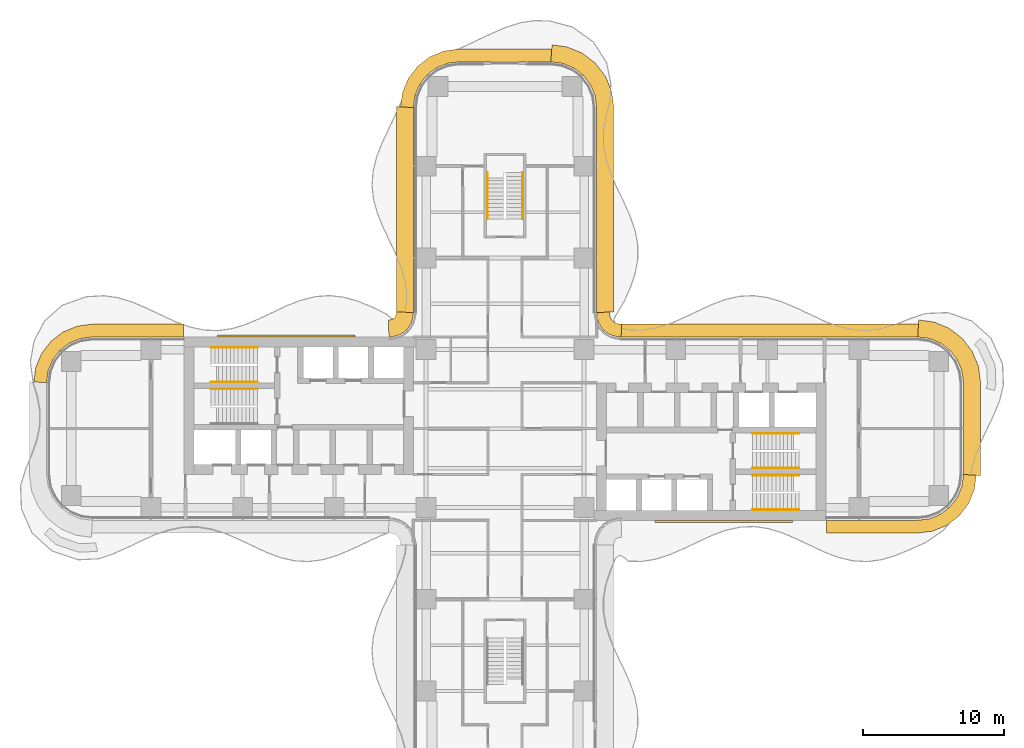
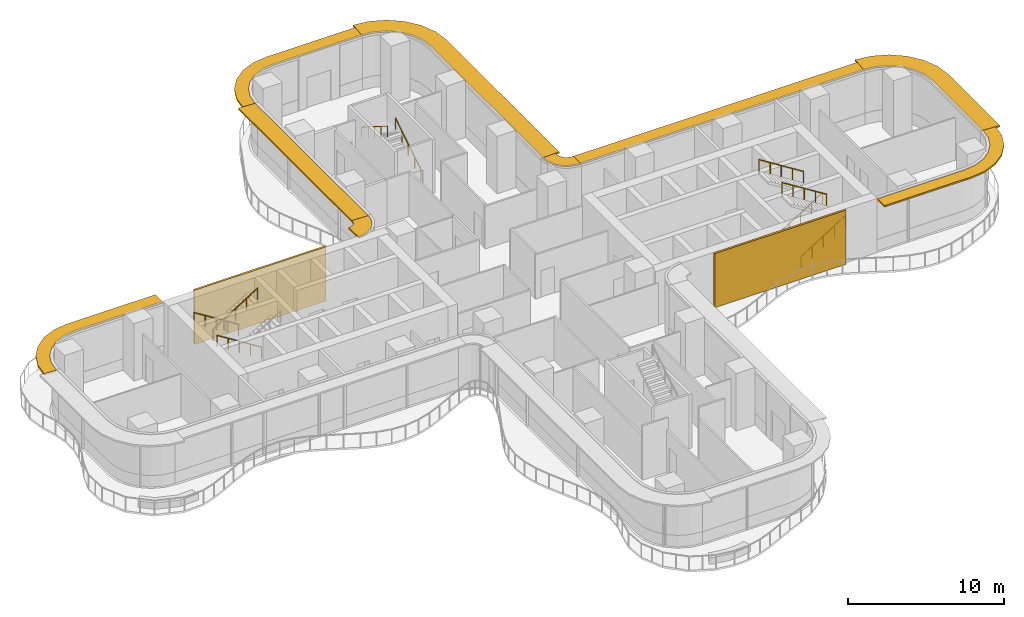
# One storey, part 22 of 22: 9 railings, 9 shading devices, 2 coverings.
"""IFC4 building model written with IfcOpenShell, lengths in metres."""

from ifc_helpers import new_model, si_unit, direction, frame, origin, origin_2d, place, context, subcontext, project, spatial, polyline, circle, outline, extrude, source, transform, mapped, material, layer, layer_set, type_object, element, save


model = new_model("IFC4")

# Units and contexts
model_context = context("Model", 3, precision=1e-05, world=origin(), true_north=direction((0.0, 1.0)))
body_context = subcontext(model_context, "Body", "Model", "MODEL_VIEW")
ifc_project = project(units=[si_unit("LENGTHUNIT", "METRE"), si_unit("AREAUNIT", "SQUARE_METRE"), si_unit("VOLUMEUNIT", "CUBIC_METRE"), si_unit("PLANEANGLEUNIT", "RADIAN"), si_unit("MASSUNIT", "GRAM", prefix="KILO")], contexts=[model_context])

# Site, building, storey
site_placement = place(None, origin())
site = spatial("IfcSite", under=ifc_project, at=site_placement, CompositionType="ELEMENT")
building_placement = place(site_placement, origin())
building = spatial("IfcBuilding", under=site, at=building_placement, Name="Trellis Farm Tower", CompositionType="ELEMENT")
storey_placement = place(building_placement, frame((0.0, 0.0, 70.0)))
storey = spatial("IfcBuildingStorey", under=building, at=storey_placement, Name="L14", CompositionType="ELEMENT", Elevation=70.0)

# Railings
ifc_material_1 = material(Name="Stainless steel", Category="steel")
railing_type = type_object("IfcRailingType", Name="STAIR HANDRAIL 900", PredefinedType="HANDRAIL", material=ifc_material_1)
shared_shape_1 = source(origin(), body_context, "Body", "SweptSolid", [
    extrude(circle(Radius=0.02392578125, at=origin_2d()), frame((0.0, 0.0, 0.8759765625), z_axis=(0.0, 0.846319618018, 0.532675421018), x_axis=(-1.0, 0.0, 0.0)), (0.0, 0.0, 1.0), 3.89892578125),
    extrude(circle(Radius=0.02099609375, at=origin_2d()), origin(), (0.0, 0.0, 1.0), 0.851806640625),
    extrude(circle(Radius=0.02099609375, at=origin_2d()), frame((0.0, 0.824951171875, 0.519287109375)), (0.0, 0.0, 1.0), 0.851806640625),
    extrude(circle(Radius=0.02099609375, at=origin_2d()), frame((0.0, 1.64990234375, 1.03857421875)), (0.0, 0.0, 1.0), 0.851806640625),
    extrude(circle(Radius=0.02099609375, at=origin_2d()), frame((0.0, 2.474853515625, 1.5576171875)), (0.0, 0.0, 1.0), 0.851806640625),
    extrude(circle(Radius=0.02099609375, at=origin_2d()), frame((0.0, 3.2998046875, 2.076904296875)), (0.0, 0.0, 1.0), 0.851806640625),
])
railing_1_placement = place(storey_placement, frame((1.25, 14.85009765625, 0.173095703125)))
element("IfcRailing", 1, at=railing_1_placement, inside=storey, type_object=railing_type, Name="Stair handrail", PredefinedType="HANDRAIL", context=body_context, shape_type="MappedRepresentation", body=[
    mapped(shared_shape_1, transform((0.0, 0.0, 0.0))),
])
shared_shape_2 = source(origin(), body_context, "Body", "SweptSolid", [
    extrude(circle(Radius=0.02392578125, at=origin_2d()), frame((0.0, 0.0, 0.8759765625), z_axis=(0.0, -0.846319618018, 0.532675421018), x_axis=(1.0, 0.0, 0.0)), (0.0, 0.0, 1.0), 3.89892578125),
    extrude(circle(Radius=0.02099609375, at=origin_2d()), origin(), (0.0, 0.0, 1.0), 0.851806640625),
    extrude(circle(Radius=0.02099609375, at=origin_2d()), frame((0.0, -0.824951171875, 0.519287109375)), (0.0, 0.0, 1.0), 0.851806640625),
    extrude(circle(Radius=0.02099609375, at=origin_2d()), frame((0.0, -1.64990234375, 1.03857421875)), (0.0, 0.0, 1.0), 0.851806640625),
    extrude(circle(Radius=0.02099609375, at=origin_2d()), frame((0.0, -2.474853515625, 1.5576171875)), (0.0, 0.0, 1.0), 0.851806640625),
    extrude(circle(Radius=0.02099609375, at=origin_2d()), frame((0.0, -3.2998046875, 2.076904296875)), (0.0, 0.0, 1.0), 0.851806640625),
])
railing_2_placement = place(storey_placement, frame((-1.25, 18.14990234375, 2.423095703125)))
element("IfcRailing", 2, at=railing_2_placement, inside=storey, type_object=railing_type, Name="Stair handrail", PredefinedType="HANDRAIL", context=body_context, shape_type="MappedRepresentation", body=[
    mapped(shared_shape_2, transform((0.0, 0.0, 0.0))),
])
shared_shape_3 = source(origin(), body_context, "Body", "SweptSolid", [
    extrude(circle(Radius=0.02392578125, at=origin_2d()), frame((0.0, 0.0, 0.8759765625), z_axis=(0.846337383501, 0.0, 0.532647194011), x_axis=(0.0, 1.0, 0.0)), (0.0, 0.0, 1.0), 3.899169921875),
    extrude(circle(Radius=0.02099609375, at=origin_2d()), origin(), (0.0, 0.0, 1.0), 0.851806640625),
    extrude(circle(Radius=0.02099609375, at=origin_2d()), frame((0.824951171875, 0.0, 0.519287109375)), (0.0, 0.0, 1.0), 0.851806640625),
    extrude(circle(Radius=0.02099609375, at=origin_2d()), frame((1.64990234375, 0.0, 1.03857421875)), (0.0, 0.0, 1.0), 0.851806640625),
    extrude(circle(Radius=0.02099609375, at=origin_2d()), frame((2.47509765625, 0.0, 1.5576171875)), (0.0, 0.0, 1.0), 0.851806640625),
    extrude(circle(Radius=0.02099609375, at=origin_2d()), frame((3.300048828125, 0.0, 2.076904296875)), (0.0, 0.0, 1.0), 0.851806640625),
])
for number, where, name in (
    (3, (17.550048828125, -5.75, 0.173095703125), "Stair handrail"),
    (4, (17.550048828125, -2.800048828125, 0.173095703125), "Stair handrail"),
    (5, (-20.85009765625, 3.300048828125, 2.423095703125), "Stair handrail"),
):
    element("IfcRailing", number, at=place(storey_placement, frame(where)), inside=storey, type_object=railing_type, Name=name, PredefinedType="HANDRAIL", context=body_context, shape_type="MappedRepresentation", body=[
        mapped(shared_shape_3, transform((0.0, 0.0, 0.0))),
    ])
shared_shape_4 = source(origin(), body_context, "Body", "SweptSolid", [
    extrude(circle(Radius=0.02392578125, at=origin_2d()), frame((0.0, 0.0, 0.8759765625), z_axis=(-0.846337383501, 0.0, 0.532647194011), x_axis=(0.0, -1.0, 0.0)), (0.0, 0.0, 1.0), 3.899169921875),
    extrude(circle(Radius=0.02099609375, at=origin_2d()), origin(), (0.0, 0.0, 1.0), 0.851806640625),
    extrude(circle(Radius=0.02099609375, at=origin_2d()), frame((-0.824951171875, 0.0, 0.519287109375)), (0.0, 0.0, 1.0), 0.851806640625),
    extrude(circle(Radius=0.02099609375, at=origin_2d()), frame((-1.64990234375, 0.0, 1.03857421875)), (0.0, 0.0, 1.0), 0.851806640625),
    extrude(circle(Radius=0.02099609375, at=origin_2d()), frame((-2.47509765625, 0.0, 1.5576171875)), (0.0, 0.0, 1.0), 0.851806640625),
    extrude(circle(Radius=0.02099609375, at=origin_2d()), frame((-3.300048828125, 0.0, 2.076904296875)), (0.0, 0.0, 1.0), 0.851806640625),
])
for number, where, name in (
    (6, (20.85009765625, -3.300048828125, 2.423095703125), "Stair handrail"),
    (7, (20.85009765625, -0.35009765625, 2.423095703125), "Stair handrail"),
    (8, (-17.550048828125, 5.75, 0.173095703125), "Stair handrail"),
    (9, (-17.550048828125, 2.800048828125, 0.173095703125), "Stair handrail"),
):
    element("IfcRailing", number, at=place(storey_placement, frame(where)), inside=storey, type_object=railing_type, Name=name, PredefinedType="HANDRAIL", context=body_context, shape_type="MappedRepresentation", body=[
        mapped(shared_shape_4, transform((0.0, 0.0, 0.0))),
    ])

# Shading devices
ifc_material_2 = material(Name="Aluminium extrusion 6063-T6", Category="aluminium")
ifc_layer_1 = layer(ifc_material_2, 0.1201171875)
ifc_layer_set_1 = layer_set([ifc_layer_1], Name="SUNSHADE BLADE 900")
shading_device_type_1 = type_object("IfcShadingDeviceType", Name="SUNSHADE BLADE 900", PredefinedType="USERDEFINED", material=ifc_layer_set_1)
shared_shape_5 = source(origin(), body_context, "Body", "SweptSolid", [
    extrude(outline(polyline([(22.780029296875, -7.39990234375), (29.30908203125, -7.39990234375), (30.326171875, -7.26611328125), (31.328857421875, -6.850830078125), (32.18994140625, -6.18994140625), (32.850830078125, -5.328857421875), (33.26611328125, -4.326171875), (33.39990234375, -3.30908203125), (32.5, -3.25), (32.38916015625, -4.091064453125), (32.064697265625, -4.875), (31.548095703125, -5.548095703125), (30.875, -6.064697265625), (30.091064453125, -6.38916015625), (29.25, -6.5), (22.780029296875, -6.5), (22.780029296875, -7.39990234375)])), origin(), (0.0, 0.0, 1.0), 0.119873046875),
])
placement_1 = place(storey_placement, frame((0.0, 0.0, 4.090087890625)))
element("IfcShadingDevice", 10, at=placement_1, inside=storey, type_object=shading_device_type_1, Name="SD1 007", ObjectType="SUNSHADE", PredefinedType="USERDEFINED", context=body_context, shape_type="MappedRepresentation", body=[
    mapped(shared_shape_5, transform((0.0, 0.0, 0.0))),
])
ifc_layer_2 = layer(ifc_material_2, 0.1201171875)
ifc_layer_set_2 = layer_set([ifc_layer_2], Name="SUNSHADE BLADE 1200")
shading_device_type_2 = type_object("IfcShadingDeviceType", Name="SUNSHADE BLADE 1200", PredefinedType="USERDEFINED", material=ifc_layer_set_2)
shared_shape_6 = source(origin(), body_context, "Body", "SweptSolid", [
    extrude(outline(polyline([(33.699951171875, -3.32861328125), (33.699951171875, 3.32861328125), (33.558349609375, 4.404541015625), (33.11279296875, 5.480224609375), (32.404052734375, 6.404052734375), (31.480224609375, 7.11279296875), (30.404541015625, 7.558349609375), (29.32861328125, 7.699951171875), (29.25, 6.5), (30.091064453125, 6.38916015625), (30.875, 6.064697265625), (31.548095703125, 5.548095703125), (32.064697265625, 4.875), (32.38916015625, 4.091064453125), (32.5, 3.25), (32.5, -3.25), (33.699951171875, -3.32861328125)])), origin(), (0.0, 0.0, 1.0), 0.119873046875),
])
element("IfcShadingDevice", 11, at=placement_1, inside=storey, type_object=shading_device_type_2, Name="SD2 008", ObjectType="SUNSHADE", PredefinedType="USERDEFINED", context=body_context, shape_type="MappedRepresentation", body=[
    mapped(shared_shape_6, transform((0.0, 0.0, 0.0))),
])
shared_shape_7 = source(origin(), body_context, "Body", "SweptSolid", [
    extrude(outline(polyline([(29.30908203125, 7.39990234375), (8.2607421875, 7.39990234375), (8.2314453125, 6.5), (29.25, 6.5), (29.30908203125, 7.39990234375)])), origin(), (0.0, 0.0, 1.0), 0.119873046875),
])
element("IfcShadingDevice", 12, at=placement_1, inside=storey, type_object=shading_device_type_1, Name="SD1 009", ObjectType="SUNSHADE", PredefinedType="USERDEFINED", context=body_context, shape_type="MappedRepresentation", body=[
    mapped(shared_shape_7, transform((0.0, 0.0, 0.0))),
])
shared_shape_8 = source(origin(), body_context, "Body", "SweptSolid", [
    extrude(outline(polyline([(8.2607421875, 7.39990234375), (8.107666015625, 7.409912109375), (8.091552734375, 7.412109375), (7.85595703125, 7.475341796875), (7.697021484375, 7.567138671875), (7.567138671875, 7.697021484375), (7.475341796875, 7.85595703125), (7.412109375, 8.091552734375), (7.409912109375, 8.107666015625), (7.39990234375, 8.2607421875), (6.5, 8.2314453125), (6.513916015625, 8.01953125), (6.527587890625, 7.91552734375), (6.63671875, 7.508544921875), (6.846923828125, 7.144287109375), (7.144287109375, 6.846923828125), (7.508544921875, 6.63671875), (7.91552734375, 6.527587890625), (8.01953125, 6.513916015625), (8.2314453125, 6.5), (8.2607421875, 7.39990234375)])), origin(), (0.0, 0.0, 1.0), 0.119873046875),
])
element("IfcShadingDevice", 13, at=placement_1, inside=storey, type_object=shading_device_type_1, Name="SD1 010", ObjectType="SUNSHADE", PredefinedType="USERDEFINED", context=body_context, shape_type="MappedRepresentation", body=[
    mapped(shared_shape_8, transform((0.0, 0.0, 0.0))),
])
shared_shape_9 = source(origin(), body_context, "Body", "SweptSolid", [
    extrude(outline(polyline([(-7.699951171875, 8.270751953125), (-7.708740234375, 8.13720703125), (-7.70703125, 8.150146484375), (-7.7548828125, 7.9716796875), (-7.80712890625, 7.881103515625), (-7.881103515625, 7.80712890625), (-7.9716796875, 7.7548828125), (-8.150146484375, 7.70703125), (-8.13720703125, 7.708740234375), (-8.270751953125, 7.699951171875), (-8.2314453125, 6.5), (-8.01953125, 6.513916015625), (-7.91552734375, 6.527587890625), (-7.508544921875, 6.63671875), (-7.144287109375, 6.846923828125), (-6.846923828125, 7.144287109375), (-6.63671875, 7.508544921875), (-6.527587890625, 7.91552734375), (-6.513916015625, 8.01953125), (-6.5, 8.2314453125), (-7.699951171875, 8.270751953125)])), origin(), (0.0, 0.0, 1.0), 0.119873046875),
])
element("IfcShadingDevice", 14, at=placement_1, inside=storey, type_object=shading_device_type_2, Name="SD2 014", ObjectType="SUNSHADE", PredefinedType="USERDEFINED", context=body_context, shape_type="MappedRepresentation", body=[
    mapped(shared_shape_9, transform((0.0, 0.0, 0.0))),
])
shared_shape_10 = source(origin(), body_context, "Body", "SweptSolid", [
    extrude(outline(polyline([(-22.780029296875, 7.39990234375), (-29.30908203125, 7.39990234375), (-30.326171875, 7.26611328125), (-31.328857421875, 6.850830078125), (-32.18994140625, 6.18994140625), (-32.850830078125, 5.328857421875), (-33.26611328125, 4.326171875), (-33.39990234375, 3.30908203125), (-32.5, 3.25), (-32.38916015625, 4.091064453125), (-32.064697265625, 4.875), (-31.548095703125, 5.548095703125), (-30.875, 6.064697265625), (-30.091064453125, 6.38916015625), (-29.25, 6.5), (-22.780029296875, 6.5), (-22.780029296875, 7.39990234375)])), origin(), (0.0, 0.0, 1.0), 0.119873046875),
])
element("IfcShadingDevice", 15, at=placement_1, inside=storey, type_object=shading_device_type_1, Name="SD1 015", ObjectType="SUNSHADE", PredefinedType="USERDEFINED", context=body_context, shape_type="MappedRepresentation", body=[
    mapped(shared_shape_10, transform((0.0, 0.0, 0.0))),
])

# Coverings
ifc_material_3 = material(Name="Perforated precast screen (cobogo)", Category="concrete")
ifc_layer_3 = layer(ifc_material_3, 0.14990234375)
ifc_layer_set_3 = layer_set([ifc_layer_3], Name="COBOGO SCREEN PANEL")
covering_type = type_object("IfcCoveringType", Name="COBOGO SCREEN PANEL", PredefinedType="USERDEFINED", material=ifc_layer_set_3)
shared_shape_11 = source(origin(), body_context, "Body", "SweptSolid", [
    extrude(outline(polyline([(10.630615234375, -6.64990234375), (20.380615234375, -6.64990234375), (20.380615234375, -6.5), (10.630615234375, -6.5), (10.630615234375, -6.64990234375)])), origin(), (0.0, 0.0, 1.0), 4.25),
])
placement_2 = place(storey_placement, origin())
element("IfcCovering", 16, at=placement_2, inside=storey, type_object=covering_type, Name="SC1 01", ObjectType="SCREEN", PredefinedType="USERDEFINED", context=body_context, shape_type="MappedRepresentation", body=[
    mapped(shared_shape_11, transform((0.0, 0.0, 0.0))),
])
shared_shape_12 = source(origin(), body_context, "Body", "SweptSolid", [
    extrude(outline(polyline([(-10.630615234375, 6.64990234375), (-20.380615234375, 6.64990234375), (-20.380615234375, 6.5), (-10.630615234375, 6.5), (-10.630615234375, 6.64990234375)])), origin(), (0.0, 0.0, 1.0), 4.25),
])
element("IfcCovering", 17, at=placement_2, inside=storey, type_object=covering_type, Name="SC1 02", ObjectType="SCREEN", PredefinedType="USERDEFINED", context=body_context, shape_type="MappedRepresentation", body=[
    mapped(shared_shape_12, transform((0.0, 0.0, 0.0))),
])

# Shading devices
shared_shape_13 = source(origin(), body_context, "Body", "SweptSolid", [
    extrude(outline(polyline([(7.699951171875, 8.270751953125), (7.699951171875, 22.82861328125), (7.558349609375, 23.904541015625), (7.11279296875, 24.980224609375), (6.404052734375, 25.904052734375), (5.480224609375, 26.61279296875), (4.404541015625, 27.058349609375), (3.32861328125, 27.199951171875), (3.25, 26.0), (4.091064453125, 25.88916015625), (4.875, 25.564697265625), (5.548095703125, 25.048095703125), (6.064697265625, 24.375), (6.38916015625, 23.591064453125), (6.5, 22.75), (6.5, 8.2314453125), (7.699951171875, 8.270751953125)])), origin(), (0.0, 0.0, 1.0), 0.119873046875),
])
element("IfcShadingDevice", 18, at=placement_1, inside=storey, type_object=shading_device_type_2, Name="SD2 011", ObjectType="SUNSHADE", PredefinedType="USERDEFINED", context=body_context, shape_type="MappedRepresentation", body=[
    mapped(shared_shape_13, transform((0.0, 0.0, 0.0))),
])
shared_shape_14 = source(origin(), body_context, "Body", "SweptSolid", [
    extrude(outline(polyline([(3.30908203125, 26.89990234375), (-3.30908203125, 26.89990234375), (-4.326171875, 26.76611328125), (-5.328857421875, 26.350830078125), (-6.18994140625, 25.68994140625), (-6.850830078125, 24.828857421875), (-7.26611328125, 23.826171875), (-7.39990234375, 22.80908203125), (-6.5, 22.75), (-6.38916015625, 23.591064453125), (-6.064697265625, 24.375), (-5.548095703125, 25.048095703125), (-4.875, 25.564697265625), (-4.091064453125, 25.88916015625), (-3.25, 26.0), (3.25, 26.0), (3.30908203125, 26.89990234375)])), origin(), (0.0, 0.0, 1.0), 0.119873046875),
])
element("IfcShadingDevice", 19, at=placement_1, inside=storey, type_object=shading_device_type_1, Name="SD1 012", ObjectType="SUNSHADE", PredefinedType="USERDEFINED", context=body_context, shape_type="MappedRepresentation", body=[
    mapped(shared_shape_14, transform((0.0, 0.0, 0.0))),
])
shared_shape_15 = source(origin(), body_context, "Body", "SweptSolid", [
    extrude(outline(polyline([(-7.699951171875, 22.82861328125), (-7.699951171875, 8.270751953125), (-6.5, 8.2314453125), (-6.5, 22.75), (-7.699951171875, 22.82861328125)])), origin(), (0.0, 0.0, 1.0), 0.119873046875),
])
element("IfcShadingDevice", 20, at=placement_1, inside=storey, type_object=shading_device_type_2, Name="SD2 013", ObjectType="SUNSHADE", PredefinedType="USERDEFINED", context=body_context, shape_type="MappedRepresentation", body=[
    mapped(shared_shape_15, transform((0.0, 0.0, 0.0))),
])

save(model, "model.ifc")
